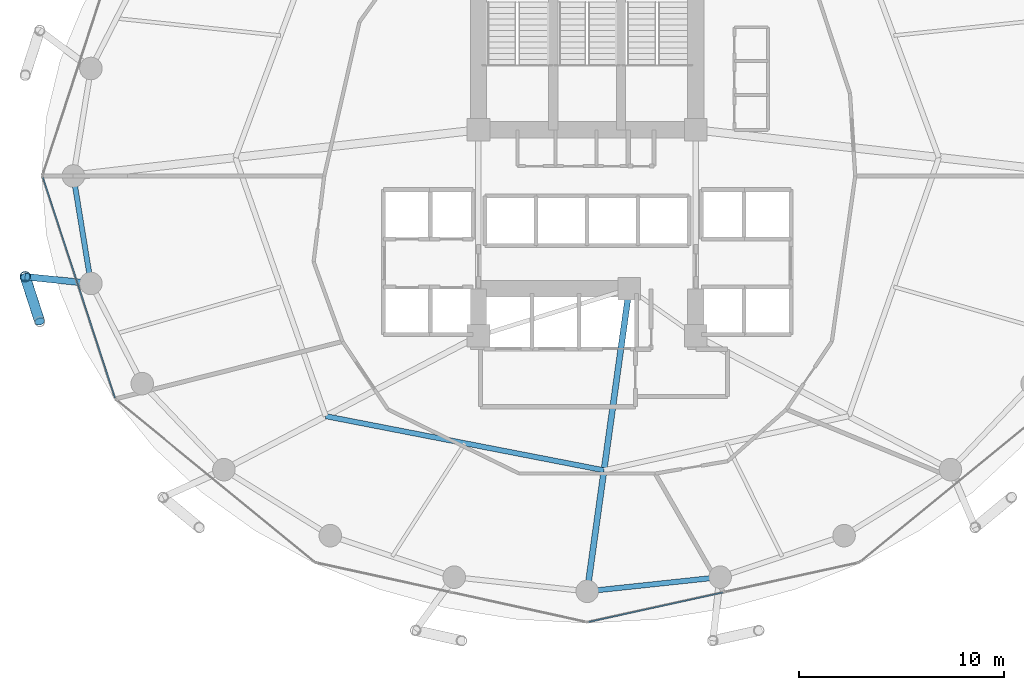
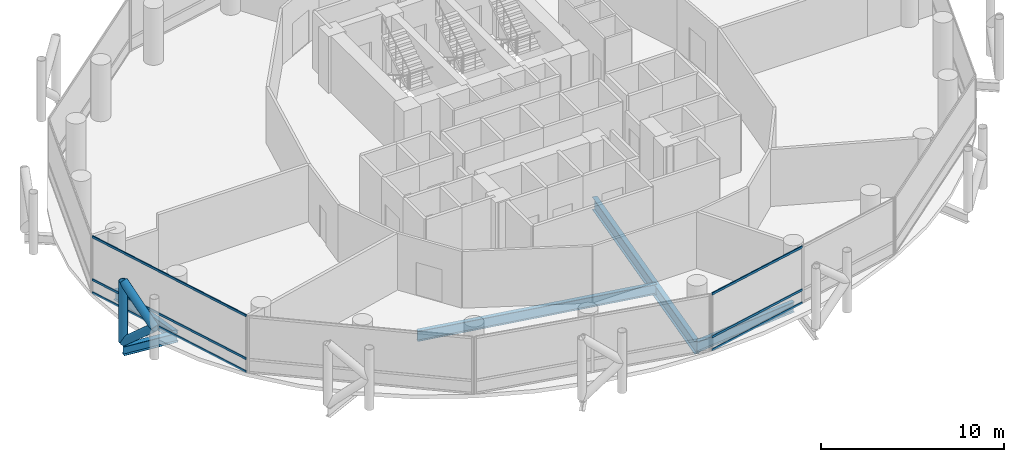
# One storey, part 5 of 24: 9 members, 5 beams, 2 elements without a shape of their own.
"""IFC4 building model written with IfcOpenShell, lengths in metres."""

from ifc_helpers import new_model, si_unit, direction, frame, origin, origin_2d, place, context, subcontext, project, spatial, hollow_rectangle, hollow_circle, i_section, extrude, material, layer, layer_set, material_profile, profile_set, type_object, element, aggregate, save


model = new_model("IFC4")

# Units and contexts
model_context = context("Model", 3, precision=1e-05, world=origin(), true_north=direction((0.0, 1.0)))
body_context = subcontext(model_context, "Body", "Model", "MODEL_VIEW")
ifc_project = project(units=[si_unit("LENGTHUNIT", "METRE"), si_unit("AREAUNIT", "SQUARE_METRE"), si_unit("VOLUMEUNIT", "CUBIC_METRE"), si_unit("PLANEANGLEUNIT", "RADIAN"), si_unit("MASSUNIT", "GRAM", prefix="KILO")], contexts=[model_context])

# Site, building, storey
site_placement = place(None, origin())
site = spatial("IfcSite", under=ifc_project, at=site_placement, CompositionType="ELEMENT")
building_placement = place(site_placement, origin())
building = spatial("IfcBuilding", under=site, at=building_placement, Name="Nuhasar Tower", CompositionType="ELEMENT")
storey_placement = place(building_placement, frame((0.0, 0.0, 29.10009765625)))
storey = spatial("IfcBuildingStorey", under=building, at=storey_placement, Name="L06", CompositionType="ELEMENT", Elevation=29.10009765625)

# Beams
ifc_material_1 = material(Name="Steel S355", Category="steel")
ifc_material_profile_1 = material_profile(ifc_material_1, i_section(OverallWidth=0.25390625, OverallDepth=0.68408203125, WebThickness=0.012451171875, FlangeThickness=0.018798828125, at=origin_2d()), Name="W27X94")
ifc_profile_set_1 = profile_set([ifc_material_profile_1], Name="Steel S355")
beam_type_1 = type_object("IfcBeamType", Name="BM-INRING-W27X94", PredefinedType="BEAM", material=ifc_profile_set_1)
beam_1_placement = place(storey_placement, frame((26.251953125, 15.089111328125, -0.60205078125), z_axis=(0.981602977761, -0.190933480695, 0.0), x_axis=(0.190933480695, 0.981602977761, 0.0)))
element("IfcBeam", 1, at=beam_1_placement, inside=storey, type_object=beam_type_1, Name="L06 Inner Header Beam 01", PredefinedType="BEAM", context=body_context, shape_type="SweptSolid", body=[
    extrude(i_section(OverallWidth=0.25390625, OverallDepth=0.68408203125, WebThickness=0.012451171875, FlangeThickness=0.018798828125, at=origin_2d()), origin(), (0.0, 0.0, 1.0), 13.822509765625),
])
ifc_material_profile_2 = material_profile(ifc_material_1, i_section(OverallWidth=0.2919921875, OverallDepth=0.85888671875, WebThickness=0.01708984375, FlangeThickness=0.031005859375, at=origin_2d()), Name="W33X169")
ifc_profile_set_2 = profile_set([ifc_material_profile_2], Name="Steel S355")
beam_type_2 = type_object("IfcBeamType", Name="BM-POD-W33X169", PredefinedType="BEAM", material=ifc_profile_set_2)
beam_2_placement = place(storey_placement, frame((41.050048828125, 21.300048828125, -0.690185546875), z_axis=(-0.137663087856, -0.990479113481, 0.0), x_axis=(0.990479113481, -0.137663087856, 0.0)))
element("IfcBeam", 2, at=beam_2_placement, inside=storey, type_object=beam_type_2, Name="L06 Radial Floor Girder 02", PredefinedType="BEAM", context=body_context, shape_type="SweptSolid", body=[
    extrude(i_section(OverallWidth=0.2919921875, OverallDepth=0.85888671875, WebThickness=0.01708984375, FlangeThickness=0.031005859375, at=origin_2d()), origin(), (0.0, 0.0, 1.0), 14.891845703125),
])
ifc_material_profile_3 = material_profile(ifc_material_1, i_section(OverallWidth=0.256103515625, OverallDepth=0.693115234375, WebThickness=0.014404296875, FlangeThickness=0.023681640625, at=origin_2d()), Name="W27X114")
ifc_profile_set_3 = profile_set([ifc_material_profile_3], Name="Steel S355")
beam_type_3 = type_object("IfcBeamType", Name="BM-RING-W27X114", PredefinedType="SPANDREL", material=ifc_profile_set_3)
beam_3_placement = place(storey_placement, frame((13.949951171875, 26.800048828125, -0.606201171875), z_axis=(0.160826635486, -0.986982671235, 0.0), x_axis=(0.986982671235, 0.160826635486, 0.0)))
element("IfcBeam", 3, at=beam_3_placement, inside=storey, type_object=beam_type_3, Name="L06 Perimeter Ring Spandrel 13", PredefinedType="SPANDREL", context=body_context, shape_type="SweptSolid", body=[
    extrude(i_section(OverallWidth=0.256103515625, OverallDepth=0.693115234375, WebThickness=0.014404296875, FlangeThickness=0.023681640625, at=origin_2d()), origin(), (0.0, 0.0, 1.0), 5.31005859375),
])
beam_4_placement = place(storey_placement, frame((39.0, 6.550048828125, -0.606201171875), z_axis=(0.994384554061, 0.105827022286, 0.0), x_axis=(-0.105827022286, 0.994384554061, 0.0)))
element("IfcBeam", 4, at=beam_4_placement, inside=storey, type_object=beam_type_3, Name="L06 Perimeter Ring Spandrel 19", PredefinedType="SPANDREL", context=body_context, shape_type="SweptSolid", body=[
    extrude(i_section(OverallWidth=0.256103515625, OverallDepth=0.693115234375, WebThickness=0.014404296875, FlangeThickness=0.023681640625, at=origin_2d()), origin(), (0.0, 0.0, 1.0), 6.51953125),
])
ifc_material_profile_4 = material_profile(ifc_material_1, i_section(OverallWidth=0.323974609375, OverallDepth=0.611083984375, WebThickness=0.0126953125, FlangeThickness=0.01904296875, at=origin_2d()), Name="W24X104")
ifc_profile_set_4 = profile_set([ifc_material_profile_4], Name="Steel S355")
beam_type_4 = type_object("IfcBeamType", Name="BM-TIE-W24X104", PredefinedType="BEAM", material=ifc_profile_set_4)
beam_5_placement = place(storey_placement, frame((14.803955078125, 21.55908203125, -0.565185546875), z_axis=(-0.994711572359, 0.102707778751, 0.0), x_axis=(-0.102707778751, -0.994711572359, 0.0)))
element("IfcBeam", 5, at=beam_5_placement, inside=storey, type_object=beam_type_4, Name="L06 Exoskeleton Node Tie Beam 07", PredefinedType="BEAM", context=body_context, shape_type="SweptSolid", body=[
    extrude(i_section(OverallWidth=0.323974609375, OverallDepth=0.611083984375, WebThickness=0.0126953125, FlangeThickness=0.01904296875, at=origin_2d()), origin(), (0.0, 0.0, 1.0), 3.220947265625),
])

# Curtain wall, members
ifc_material_2 = material(Name="Aluminium 6063-T6", Category="aluminium")
ifc_layer = layer(ifc_material_2, 0.199951171875)
ifc_layer_set = layer_set([ifc_layer], Name="Aluminium 6063-T6")
curtain_wall_type = type_object("IfcCurtainWallType", Name="CW-Z1-OFF", PredefinedType="NOTDEFINED", material=ifc_layer_set)
curtain_wall_1_placement = place(storey_placement, origin())
curtain_wall_1 = element("IfcCurtainWall", 6, at=curtain_wall_1_placement, inside=storey, type_object=curtain_wall_type, Name="L06 Unitised Curtain Wall 07", PredefinedType="NOTDEFINED")
ifc_material_profile_5 = material_profile(ifc_material_2, hollow_rectangle(XDim=0.06494140625, YDim=0.14990234375, WallThickness=0.00439453125, at=origin_2d()), Name="CWT-2")
ifc_profile_set_5 = profile_set([ifc_material_profile_5], Name="Aluminium 6063-T6")
member_type_1 = type_object("IfcMemberType", Name="CW-TRN-S2", PredefinedType="USERDEFINED", material=ifc_profile_set_5)
member_1_placement = place(storey_placement, frame((12.460205078125, 26.73828125, 0.032470703125), z_axis=(0.310818687697, -0.950469222741, 0.0), x_axis=(0.950469222741, 0.310818687697, 0.0)))
member_1 = element("IfcMember", 7, at=member_1_placement, type_object=member_type_1, Name="CW-Z1 transom 1.1", ObjectType="TRANSOM", PredefinedType="USERDEFINED", context=body_context, shape_type="SweptSolid", body=[
    extrude(hollow_rectangle(XDim=0.06494140625, YDim=0.14990234375, WallThickness=0.00439453125, at=origin_2d()), origin(), (0.0, 0.0, 1.0), 11.317138671875),
])
member_2_placement = place(storey_placement, frame((12.460205078125, 26.73828125, 0.89990234375), z_axis=(0.310818687697, -0.950469222741, 0.0), x_axis=(0.950469222741, 0.310818687697, 0.0)))
member_2 = element("IfcMember", 8, at=member_2_placement, type_object=member_type_1, Name="CW-Z1 transom 1.2", ObjectType="TRANSOM", PredefinedType="USERDEFINED", context=body_context, shape_type="SweptSolid", body=[
    extrude(hollow_rectangle(XDim=0.06494140625, YDim=0.14990234375, WallThickness=0.00439453125, at=origin_2d()), origin(), (0.0, 0.0, 1.0), 11.317138671875),
])
member_3_placement = place(storey_placement, frame((12.460205078125, 26.73828125, 3.75732421875), z_axis=(0.310818687697, -0.950469222741, 0.0), x_axis=(0.950469222741, 0.310818687697, 0.0)))
member_3 = element("IfcMember", 9, at=member_3_placement, type_object=member_type_1, Name="CW-Z1 transom 1.3", ObjectType="TRANSOM", PredefinedType="USERDEFINED", context=body_context, shape_type="SweptSolid", body=[
    extrude(hollow_rectangle(XDim=0.06494140625, YDim=0.14990234375, WallThickness=0.00439453125, at=origin_2d()), origin(), (0.0, 0.0, 1.0), 11.317138671875),
])
aggregate(curtain_wall_1, [member_1, member_2, member_3])

curtain_wall_2_placement = place(storey_placement, origin())
curtain_wall_2 = element("IfcCurtainWall", 10, at=curtain_wall_2_placement, inside=storey, type_object=curtain_wall_type, Name="L06 Unitised Curtain Wall 10", PredefinedType="NOTDEFINED")
member_4_placement = place(storey_placement, frame((39.0634765625, 5.053955078125, 0.032470703125), z_axis=(0.976747879138, 0.214391185916, 0.0), x_axis=(-0.214391185916, 0.976747879138, 0.0)))
member_4 = element("IfcMember", 11, at=member_4_placement, type_object=member_type_1, Name="CW-Z1 transom 1.1", ObjectType="TRANSOM", PredefinedType="USERDEFINED", context=body_context, shape_type="SweptSolid", body=[
    extrude(hollow_rectangle(XDim=0.06494140625, YDim=0.14990234375, WallThickness=0.00439453125, at=origin_2d()), origin(), (0.0, 0.0, 1.0), 6.700439453125),
])
member_5_placement = place(storey_placement, frame((39.0634765625, 5.053955078125, 0.89990234375), z_axis=(0.976747879138, 0.214391185916, 0.0), x_axis=(-0.214391185916, 0.976747879138, 0.0)))
member_5 = element("IfcMember", 12, at=member_5_placement, type_object=member_type_1, Name="CW-Z1 transom 1.2", ObjectType="TRANSOM", PredefinedType="USERDEFINED", context=body_context, shape_type="SweptSolid", body=[
    extrude(hollow_rectangle(XDim=0.06494140625, YDim=0.14990234375, WallThickness=0.00439453125, at=origin_2d()), origin(), (0.0, 0.0, 1.0), 6.700439453125),
])
member_6_placement = place(storey_placement, frame((39.0634765625, 5.053955078125, 3.75732421875), z_axis=(0.976747879138, 0.214391185916, 0.0), x_axis=(-0.214391185916, 0.976747879138, 0.0)))
member_6 = element("IfcMember", 13, at=member_6_placement, type_object=member_type_1, Name="CW-Z1 transom 1.3", ObjectType="TRANSOM", PredefinedType="USERDEFINED", context=body_context, shape_type="SweptSolid", body=[
    extrude(hollow_rectangle(XDim=0.06494140625, YDim=0.14990234375, WallThickness=0.00439453125, at=origin_2d()), origin(), (0.0, 0.0, 1.0), 6.700439453125),
])
aggregate(curtain_wall_2, [member_4, member_5, member_6])

# Members
ifc_material_3 = material(Name="Steel S460", Category="steel")
ifc_material_profile_6 = material_profile(ifc_material_3, hollow_circle(Radius=0.25390625, WallThickness=0.025390625, at=origin_2d()), Name="HSS508X25.4")
ifc_profile_set_6 = profile_set([ifc_material_profile_6], Name="Steel S460")
member_type_2 = type_object("IfcMemberType", Name="EXO-BRONZE-508", PredefinedType="BRACE", material=ifc_profile_set_6)
member_7_placement = place(storey_placement, frame((11.60009765625, 21.889892578125, 0.0), z_axis=(0.0, 0.0, 1.0), x_axis=(1.0, 0.0, 0.0)))
element("IfcMember", 14, at=member_7_placement, inside=storey, type_object=member_type_2, Name="L06 Exoskeleton Chord Column EC-07A", PredefinedType="BRACE", context=body_context, shape_type="SweptSolid", body=[
    extrude(hollow_circle(Radius=0.25390625, WallThickness=0.025390625, at=origin_2d()), origin(), (0.0, 0.0, 1.0), 4.0498046875),
])
for number, where, z_axis, x_axis, name in (
    (15, (11.60009765625, 21.889892578125, 0.0), (0.231011836313, -0.714224870475, 0.660693851854), (0.951468282519, 0.307746823478, 0.0), "L06 Bronze Diagrid Brace W1-07"),
    (16, (12.30810546875, 19.700927734375, 2.02490234375), (-0.231011836313, 0.714224870475, 0.660693851854), (-0.951468282519, -0.307746823478, 0.0), "L06 Bronze Diagrid Brace W2-07"),
):
    element("IfcMember", number, at=place(storey_placement, frame(where, z_axis=z_axis, x_axis=x_axis)), inside=storey, type_object=member_type_2, Name=name, PredefinedType="BRACE", context=body_context, shape_type="SweptSolid", body=[
        extrude(hollow_circle(Radius=0.25390625, WallThickness=0.025390625, at=origin_2d()), origin(), (0.0, 0.0, 1.0), 3.064697265625),
    ])

save(model, "model.ifc")
